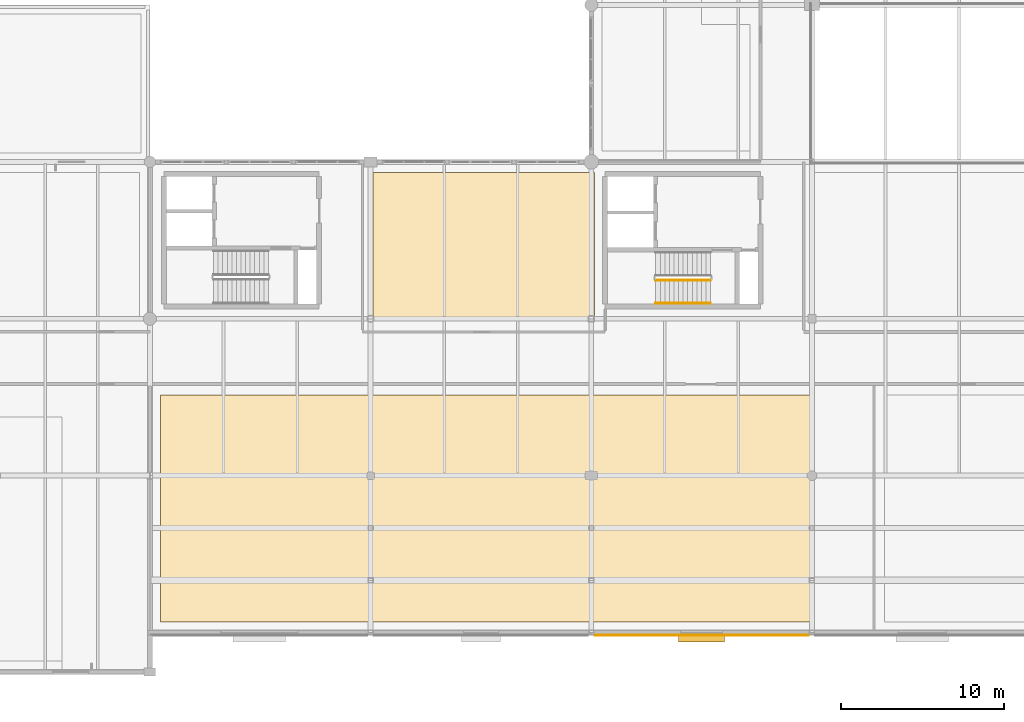
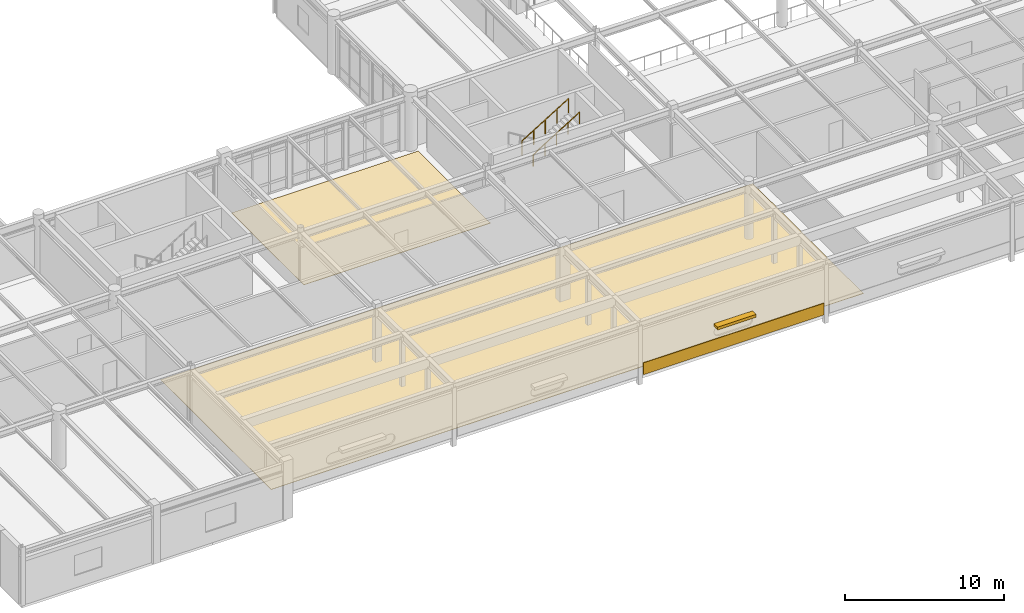
# One storey, part 55 of 61: 3 coverings, 2 railings, 1 shading device.
"""IFC4 building model written with IfcOpenShell, lengths in metres."""

import ifcopenshell
import ifcopenshell.guid

model = None  # the IFC model being written
_history = None  # IfcOwnerHistory: only IFC2X3 demands one
_inside = {}  # id of a spatial element -> (the spatial element, [elements in it])
_under = {}  # id of a project, library or spatial element -> (it, [spatial elements below it])
_declared = {}  # id of a project -> (the project, [libraries it declares])
_typed = {}  # id of a type object -> (the type object, [elements of that type])
_made_of = {}  # id of a material, layer set ... -> (it, [elements and type objects made of it])


def new_model(schema):
    """Start an empty IFC model of exactly this schema.

    Asked for "IFC4X3", IfcOpenShell would pick the latest addendum, in which some entities
    have other attributes; the version numbers below select the first issue.
    IFC2X3 requires an IfcOwnerHistory on every rooted entity: one is made here for all.
    """
    global model, _history
    if schema == "IFC4X3":
        model = ifcopenshell.file(schema_version=(4, 3, 0, 0))
    else:
        model = ifcopenshell.file(schema=schema)
    _inside.clear()
    _under.clear()
    _declared.clear()
    _typed.clear()
    _made_of.clear()
    _history = None
    if model.schema == "IFC2X3":
        org = make("IfcOrganization", Name="unknown")
        user = make(
            "IfcPersonAndOrganization",
            ThePerson=make("IfcPerson", FamilyName="unknown"),
            TheOrganization=org,
        )
        app = make(
            "IfcApplication",
            ApplicationDeveloper=org,
            Version="unknown",
            ApplicationFullName="unknown",
            ApplicationIdentifier="unknown",
        )
        _history = make(
            "IfcOwnerHistory",
            OwningUser=user,
            OwningApplication=app,
            ChangeAction="ADDED",
            CreationDate=0,
        )
    return model


def make(cls, **values):
    """One entity of the class cls with the attributes given. An attribute that is None is left unset."""
    return model.create_entity(
        cls, **{name: value for name, value in values.items() if value is not None}
    )


def rooted(cls, **values):
    """An entity with a GlobalId (a new one), such as an element, a storey or a relation."""
    return make(cls, GlobalId=ifcopenshell.guid.new(), OwnerHistory=_history, **values)


def si_unit(unit_type, name, prefix=None):
    """IfcSIUnit, for example si_unit("LENGTHUNIT", "METRE", prefix="MILLI")."""
    return make("IfcSIUnit", UnitType=unit_type, Prefix=prefix, Name=name)


def assignment(units):
    """IfcUnitAssignment: the units of a project."""
    return None if units is None else make("IfcUnitAssignment", Units=units)


def point(xyz):
    """IfcCartesianPoint."""
    return None if xyz is None else make("IfcCartesianPoint", Coordinates=xyz)


def direction(xyz):
    """IfcDirection."""
    return None if xyz is None else make("IfcDirection", DirectionRatios=xyz)


def frame(location, z_axis=None, x_axis=None):
    """IfcAxis2Placement3D, a coordinate frame: its origin and axes. An axis left out is left unset."""
    return make(
        "IfcAxis2Placement3D",
        Location=point(location),
        Axis=direction(z_axis),
        RefDirection=direction(x_axis),
    )


def frame_2d(location, x_axis=None):
    """IfcAxis2Placement2D, a coordinate frame in the plane: its origin and x axis."""
    return make(
        "IfcAxis2Placement2D", Location=point(location), RefDirection=direction(x_axis)
    )


def origin():
    """The frame at (0, 0, 0) with its axes left unset."""
    return frame((0.0, 0.0, 0.0))


def origin_2d():
    """The frame at (0, 0) in the plane with its x axis left unset."""
    return frame_2d((0.0, 0.0))


def place(relative_to, where):
    """IfcLocalPlacement: puts the frame where relative to a parent placement (None: the world)."""
    return make(
        "IfcLocalPlacement", PlacementRelTo=relative_to, RelativePlacement=where
    )


def context(
    kind, dimensions, precision=None, world=None, true_north=None, identifier=None
):
    """IfcGeometricRepresentationContext, for example the 3D "Model" context."""
    return make(
        "IfcGeometricRepresentationContext",
        ContextIdentifier=identifier,
        ContextType=kind,
        CoordinateSpaceDimension=dimensions,
        Precision=precision,
        WorldCoordinateSystem=world,
        TrueNorth=true_north,
    )


def subcontext(parent, identifier, kind, view, scale=None):
    """IfcGeometricRepresentationSubContext, for example "Body" below "Model"."""
    return make(
        "IfcGeometricRepresentationSubContext",
        ContextIdentifier=identifier,
        ContextType=kind,
        ParentContext=parent,
        TargetScale=scale,
        TargetView=view,
    )


def project(units=None, contexts=None):
    """IfcProject with its units and contexts."""
    return rooted(
        "IfcProject",
        Name="project",
        RepresentationContexts=contexts,
        UnitsInContext=assignment(units),
    )


def spatial(cls, under=None, at=None, **own):
    """A site, building, storey or space (cls), placed at a placement, below another one or the project."""
    s = rooted(cls, ObjectPlacement=at, **own)
    if under is not None:
        _under.setdefault(under.id(), (under, []))[1].append(s)
    return s


def polyline(points):
    """IfcPolyline through the points."""
    return make("IfcPolyline", Points=[point(p) for p in points])


def profile(cls, at=None, kind="AREA", **sizes):
    """A parametric profile (cls). Its sizes go by their IFC names, for example OverallWidth=200.0."""
    return make(cls, ProfileType=kind, Position=at, **sizes)


def rectangle(**sizes):
    """IfcRectangleProfileDef."""
    return profile("IfcRectangleProfileDef", **sizes)


def circle(**sizes):
    """IfcCircleProfileDef."""
    return profile("IfcCircleProfileDef", **sizes)


def outline(outer, holes=None, kind="AREA"):
    """IfcArbitraryClosedProfileDef: a profile drawn as a closed curve; with holes, ...WithVoids."""
    if holes is None:
        return make("IfcArbitraryClosedProfileDef", ProfileType=kind, OuterCurve=outer)
    return make(
        "IfcArbitraryProfileDefWithVoids",
        ProfileType=kind,
        OuterCurve=outer,
        InnerCurves=holes,
    )


def extrude(swept, where, along, depth):
    """IfcExtrudedAreaSolid: the profile swept, set in the frame where, extruded along a direction by depth."""
    return make(
        "IfcExtrudedAreaSolid",
        SweptArea=swept,
        Position=where,
        ExtrudedDirection=direction(along),
        Depth=depth,
    )


def shape(context_of_items, identifier, shape_type, items):
    """IfcShapeRepresentation: the items that make up one representation, for example the "Body"."""
    return make(
        "IfcShapeRepresentation",
        ContextOfItems=context_of_items,
        RepresentationIdentifier=identifier,
        RepresentationType=shape_type,
        Items=items,
    )


def material(Name=None, Category=None):
    """IfcMaterial."""
    return make("IfcMaterial", Name=Name, Category=Category)


def layer(
    of_material, thickness, ventilated=None, Name=None, Category=None, Priority=None
):
    """IfcMaterialLayer: one layer of a wall or slab, of a material (None: an air gap)."""
    return make(
        "IfcMaterialLayer",
        Material=of_material,
        LayerThickness=thickness,
        IsVentilated=ventilated,
        Name=Name,
        Category=Category,
        Priority=Priority,
    )


def layer_set(layers, Name=None):
    """IfcMaterialLayerSet."""
    return make("IfcMaterialLayerSet", MaterialLayers=layers, LayerSetName=Name)


def made_of(thing, what):
    """Note that an element or type object is made of a material, layer set ...; save() writes the relation."""
    if what is not None:
        _made_of.setdefault(what.id(), (what, []))[1].append(thing)
    return thing


def type_object(cls, material=None, **own):
    """A type object (cls), such as IfcWallType, which elements share."""
    return made_of(rooted(cls, **own), material)


def element(
    cls,
    number,
    at=None,
    inside=None,
    cuts=None,
    type_object=None,
    material=None,
    context=None,
    identifier="Body",
    shape_type=None,
    held_by="IfcProductDefinitionShape",
    body=None,
    shapes=None,
    **own,
):
    """One element of the class cls, such as IfcWall. Its Tag is "e" and its number.

    at: its placement. inside: the storey or other place that contains it. cuts: it is an
    opening in that element (IfcRelVoidsElement). A single representation is given by context,
    identifier, shape_type and body (its items); several are given by shapes. held_by: the class
    of the entity that holds the representations. save() writes the other relations.
    """
    e = rooted(cls, Tag="e%d" % number, ObjectPlacement=at, **own)
    if body is not None:
        shapes = [shape(context, identifier, shape_type, body)]
    if shapes is not None:
        e.Representation = make(held_by, Representations=shapes)
    if inside is not None:
        _inside.setdefault(inside.id(), (inside, []))[1].append(e)
    if cuts is not None:
        rooted(
            "IfcRelVoidsElement", RelatingBuildingElement=cuts, RelatedOpeningElement=e
        )
    if type_object is not None:
        _typed.setdefault(type_object.id(), (type_object, []))[1].append(e)
    return made_of(e, material)


def aggregate(whole, parts):
    """IfcRelAggregates: a whole, such as a stair, and the parts it consists of."""
    return rooted("IfcRelAggregates", RelatingObject=whole, RelatedObjects=parts)


def save(model, path):
    """Write the relations noted so far, then the file.

    IfcRelAggregates (storeys below a building ...), IfcRelContainedInSpatialStructure (elements
    in a storey), IfcRelDefinesByType, IfcRelAssociatesMaterial and IfcRelDeclares: one each for
    every whole, place, type object, material and project.
    """
    for whole, parts in _under.values():
        aggregate(whole, parts)
    for where, things in _inside.values():
        rooted(
            "IfcRelContainedInSpatialStructure",
            RelatedElements=things,
            RelatingStructure=where,
        )
    for kind, things in _typed.values():
        rooted("IfcRelDefinesByType", RelatedObjects=things, RelatingType=kind)
    for what, things in _made_of.values():
        rooted("IfcRelAssociatesMaterial", RelatedObjects=things, RelatingMaterial=what)
    for by, libraries in _declared.values():
        rooted("IfcRelDeclares", RelatingContext=by, RelatedDefinitions=libraries)
    model.write(path)


model = new_model("IFC4")

# Units and contexts
model_context = context("Model", 3, precision=1e-05, world=origin(), true_north=direction((0.0, 1.0)))
body_context = subcontext(model_context, "Body", "Model", "MODEL_VIEW")
ifc_project = project(units=[si_unit("LENGTHUNIT", "METRE"), si_unit("AREAUNIT", "SQUARE_METRE"), si_unit("VOLUMEUNIT", "CUBIC_METRE"), si_unit("PLANEANGLEUNIT", "RADIAN"), si_unit("MASSUNIT", "GRAM", prefix="KILO")], contexts=[model_context])

# Site, building, storey
site_placement = place(None, origin())
site = spatial("IfcSite", under=ifc_project, at=site_placement, CompositionType="ELEMENT")
building_placement = place(site_placement, origin())
building = spatial("IfcBuilding", under=site, at=building_placement, Name="Fikremerkos Civic Library", CompositionType="ELEMENT")
storey_placement = place(building_placement, frame((0.0, 0.0, 14.39990234375)))
storey = spatial("IfcBuildingStorey", under=building, at=storey_placement, Name="L03", CompositionType="ELEMENT", Elevation=14.39990234375)

# Shading device
ifc_material_1 = material(Name="Bronze anodized aluminium", Category="aluminium")
shading_device_type = type_object("IfcShadingDeviceType", Name="Horizontal sun-control louvre bank SHD-01", PredefinedType="JALOUSIE", material=ifc_material_1)
shading_device_placement = place(storey_placement, frame((52.949951171875, 2.0400390625, 1.919921875), z_axis=(0.0, 0.0, 1.0), x_axis=(1.0, 0.0, 0.0)))
element("IfcShadingDevice", 1, at=shading_device_placement, inside=storey, type_object=shading_device_type, Name="Sun-control louvre hood SHD-01 L03 #59", PredefinedType="JALOUSIE", context=body_context, shape_type="SweptSolid", body=[
    extrude(rectangle(XDim=2.800048828125, YDim=0.449951171875, at=origin_2d()), origin(), (0.0, 0.0, 1.0), 0.219970703125),
])

# Railing
ifc_material_2 = material(Name="Painted Steel S275", Category="steel")
railing_type_1 = type_object("IfcRailingType", Name="Interior balustrade guard RLG-INT 1100", PredefinedType="BALUSTRADE", material=ifc_material_2)
railing_1_placement = place(storey_placement, frame((50.139892578125, 23.949951171875, 2.423095703125)))
element("IfcRailing", 2, at=railing_1_placement, inside=storey, type_object=railing_type_1, Name="L03 ST-K3 stair guard 3", PredefinedType="BALUSTRADE", context=body_context, shape_type="SweptSolid", body=[
    extrude(circle(Radius=0.02392578125, at=origin_2d()), frame((0.0, 0.0, 1.076171875), z_axis=(0.850623216509, 0.0, 0.525775754039), x_axis=(0.0, 1.0, 0.0)), (0.0, 0.0, 1.0), 3.9501953125),
    extrude(circle(Radius=0.02099609375, at=origin_2d()), origin(), (0.0, 0.0, 1.0), 1.052001953125),
    extrude(circle(Radius=0.02099609375, at=origin_2d()), frame((0.840087890625, 0.0, 0.519287109375)), (0.0, 0.0, 1.0), 1.052001953125),
    extrude(circle(Radius=0.02099609375, at=origin_2d()), frame((1.68017578125, 0.0, 1.03857421875)), (0.0, 0.0, 1.0), 1.052001953125),
    extrude(circle(Radius=0.02099609375, at=origin_2d()), frame((2.52001953125, 0.0, 1.5576171875)), (0.0, 0.0, 1.0), 1.052001953125),
    extrude(circle(Radius=0.02099609375, at=origin_2d()), frame((3.360107421875, 0.0, 2.076904296875)), (0.0, 0.0, 1.0), 1.052001953125),
])

# Coverings
ifc_material_3 = material(Name="Polished basalt terrazzo", Category="masonry")
ifc_layer_1 = layer(ifc_material_3, 0.030029296875, Name="Polished basalt terrazzo")
ifc_layer_set_1 = layer_set([ifc_layer_1], Name="Polished basalt terrazzo")
covering_type_1 = type_object("IfcCoveringType", Name="Polished basalt terrazzo flooring FLR-01", PredefinedType="FLOORING", material=ifc_layer_set_1)
covering_1_placement = place(storey_placement, origin())
element("IfcCovering", 3, at=covering_1_placement, inside=storey, type_object=covering_type_1, Name="Terrazzo floor finish Ethiopian and Horn of Africa Studies Reading Room", PredefinedType="FLOORING", context=body_context, shape_type="SweptSolid", body=[
    extrude(outline(polyline([(19.85009765625, 3.050048828125), (19.85009765625, 16.949951171875), (62.85009765625, 16.949951171875), (62.85009765625, 3.050048828125), (19.85009765625, 3.050048828125)])), origin(), (0.0, 0.0, 1.0), 0.030029296875),
])
covering_2_placement = place(storey_placement, origin())
element("IfcCovering", 4, at=covering_2_placement, inside=storey, type_object=covering_type_1, Name="Terrazzo floor finish Quiet Research Carrels", PredefinedType="FLOORING", context=body_context, shape_type="SweptSolid", body=[
    extrude(outline(polyline([(32.85009765625, 21.449951171875), (32.85009765625, 30.550048828125), (46.39990234375, 30.550048828125), (46.39990234375, 21.449951171875), (32.85009765625, 21.449951171875)])), origin(), (0.0, 0.0, 1.0), 0.030029296875),
])
ifc_material_4 = material(Name="Precast concrete C40/50", Category="concrete")
ifc_layer_2 = layer(ifc_material_4, 0.044921875, Name="Precast concrete C40/50")
ifc_layer_set_2 = layer_set([ifc_layer_2], Name="Precast concrete C40/50")
covering_type_2 = type_object("IfcCoveringType", Name="Precast basalt facade cladding CLD-01", PredefinedType="CLADDING", material=ifc_layer_set_2)
covering_3_placement = place(storey_placement, frame((52.949951171875, 2.238037109375, 0.050048828125), z_axis=(0.0, 0.0, 1.0), x_axis=(1.0, 0.0, 0.0)))
element("IfcCovering", 5, at=covering_3_placement, inside=storey, type_object=covering_type_2, Name="Basalt spandrel cladding CLD-01 L03 #19", PredefinedType="CLADDING", context=body_context, shape_type="SweptSolid", body=[
    extrude(rectangle(XDim=13.095947265625, YDim=0.044921875, at=origin_2d()), origin(), (0.0, 0.0, 1.0), 0.89990234375),
])

# Railing
ifc_material_5 = material(Name="Brushed stainless steel", Category="steel")
railing_type_2 = type_object("IfcRailingType", Name="Wall and flight handrail HRL-01 900", PredefinedType="HANDRAIL", material=ifc_material_5)
railing_2_placement = place(storey_placement, frame((50.139892578125, 22.550048828125, 2.423095703125)))
element("IfcRailing", 6, at=railing_2_placement, inside=storey, type_object=railing_type_2, Name="L03 ST-K3 stair handrail 2", PredefinedType="HANDRAIL", context=body_context, shape_type="SweptSolid", body=[
    extrude(circle(Radius=0.02392578125, at=origin_2d()), frame((0.0, 0.0, 0.8759765625), z_axis=(0.850623216509, 0.0, 0.525775754039), x_axis=(0.0, 1.0, 0.0)), (0.0, 0.0, 1.0), 3.9501953125),
    extrude(circle(Radius=0.02099609375, at=origin_2d()), origin(), (0.0, 0.0, 1.0), 0.851806640625),
    extrude(circle(Radius=0.02099609375, at=origin_2d()), frame((0.840087890625, 0.0, 0.519287109375)), (0.0, 0.0, 1.0), 0.851806640625),
    extrude(circle(Radius=0.02099609375, at=origin_2d()), frame((1.68017578125, 0.0, 1.03857421875)), (0.0, 0.0, 1.0), 0.851806640625),
    extrude(circle(Radius=0.02099609375, at=origin_2d()), frame((2.52001953125, 0.0, 1.5576171875)), (0.0, 0.0, 1.0), 0.851806640625),
    extrude(circle(Radius=0.02099609375, at=origin_2d()), frame((3.360107421875, 0.0, 2.076904296875)), (0.0, 0.0, 1.0), 0.851806640625),
])

save(model, "model.ifc")
